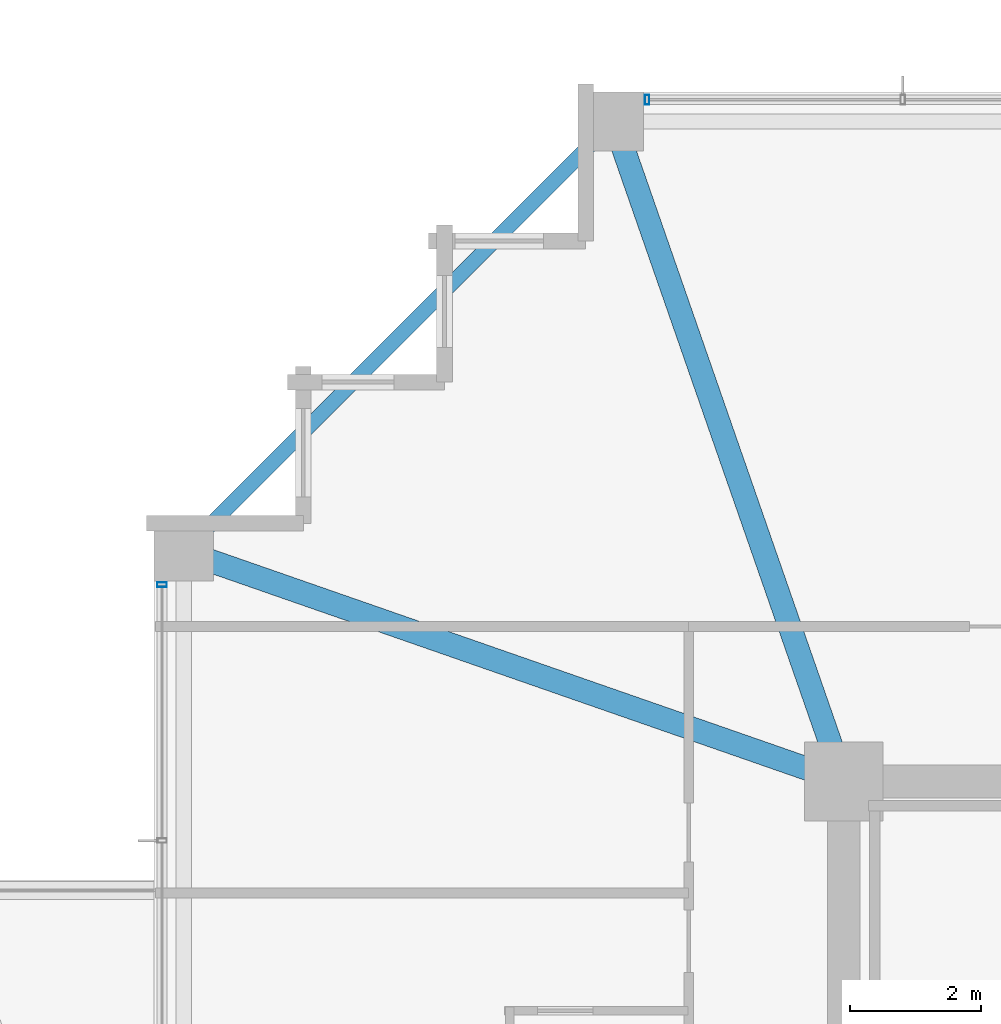
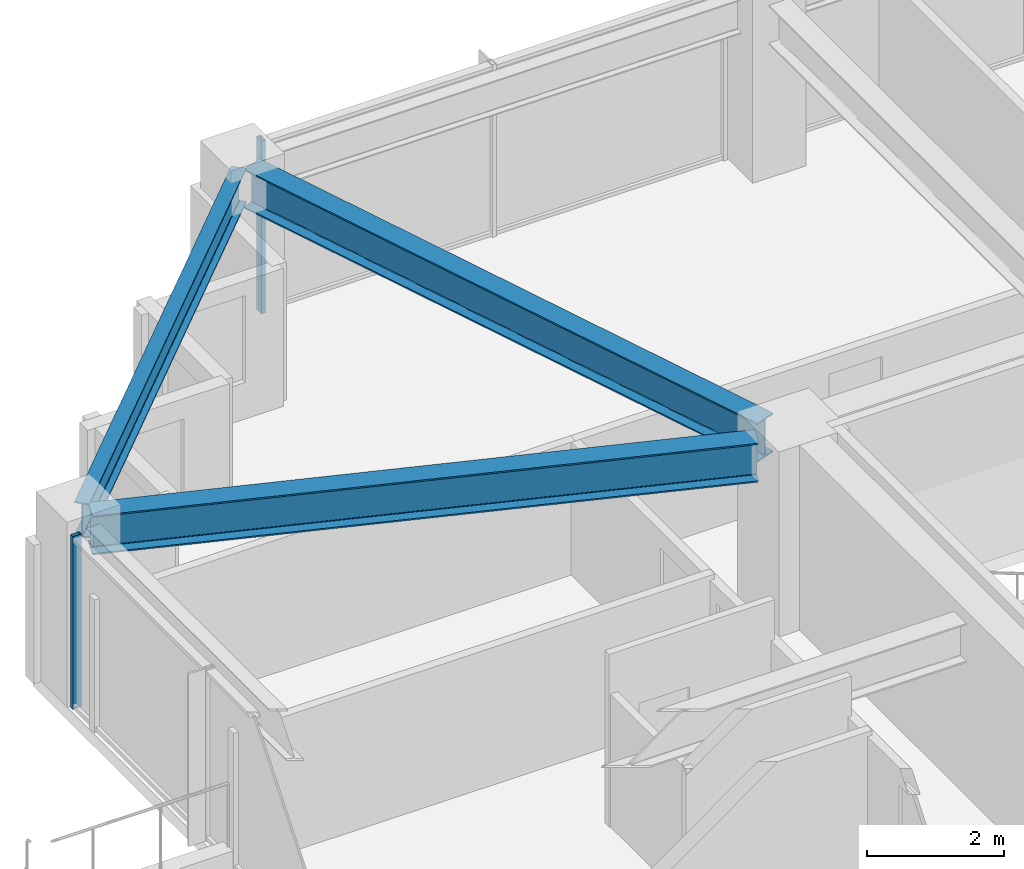
# One storey, part 17 of 35: 3 beams, 2 members, 2 elements without a shape of their own.
"""IFC4 building model written with IfcOpenShell, lengths in metres."""

from ifc_helpers import new_model, si_unit, direction, frame, origin, origin_2d, place, context, subcontext, project, spatial, hollow_rectangle, i_section, extrude, material, material_profile, profile_set, type_object, element, aggregate, save


model = new_model("IFC4")

# Units and contexts
model_context = context("Model", 3, precision=1e-05, world=origin(), true_north=direction((0.0, 1.0)))
body_context = subcontext(model_context, "Body", "Model", "MODEL_VIEW")
ifc_project = project(units=[si_unit("LENGTHUNIT", "METRE"), si_unit("AREAUNIT", "SQUARE_METRE"), si_unit("VOLUMEUNIT", "CUBIC_METRE"), si_unit("PLANEANGLEUNIT", "RADIAN"), si_unit("MASSUNIT", "GRAM", prefix="KILO")], contexts=[model_context])

# Site, building, storey
site_placement = place(None, origin())
site = spatial("IfcSite", under=ifc_project, at=site_placement, CompositionType="ELEMENT")
building_placement = place(site_placement, origin())
building = spatial("IfcBuilding", under=site, at=building_placement, Name="Kolvaren Belvedere", CompositionType="ELEMENT")
storey_placement = place(building_placement, frame((0.0, 0.0, 183.300048828125)))
storey = spatial("IfcBuildingStorey", under=building, at=storey_placement, Name="L53", CompositionType="ELEMENT", Elevation=183.300048828125)

# Beams
ifc_material_1 = material(Name="Structural steel ASTM A992 Grade 50", Category="steel")
ifc_material_profile_1 = material_profile(ifc_material_1, i_section(OverallWidth=0.35498046875, OverallDepth=0.696044921875, WebThickness=0.015380859375, FlangeThickness=0.02490234375, FilletRadius=0.02197265625, at=origin_2d()), Name="W27X146")
ifc_profile_set_1 = profile_set([ifc_material_profile_1], Name="Structural steel ASTM A992 Grade 50")
beam_type_1 = type_object("IfcBeamType", Name="BM-GIRD-W27X146", PredefinedType="BEAM", material=ifc_profile_set_1)
for number, where, z_axis, x_axis, name in (
    (1, (-10.080810546875, 10.41943359375, 2.73193359375), (-0.328894130701, 0.944366798861, 0.0), (-0.944366798861, -0.328894130701, 0.0), "L53 Corner Core-to-Perimeter Girder CC4-N1"),
    (2, (-10.41943359375, 10.080810546875, 2.73193359375), (-0.944366798861, 0.328894130701, 0.0), (-0.328894130701, -0.944366798861, 0.0), "L53 Corner Core-to-Perimeter Girder CC4-W4"),
):
    element("IfcBeam", number, at=place(storey_placement, frame(where, z_axis=z_axis, x_axis=x_axis)), inside=storey, type_object=beam_type_1, Name=name, PredefinedType="BEAM", context=body_context, shape_type="SweptSolid", body=[
        extrude(i_section(OverallWidth=0.35498046875, OverallDepth=0.696044921875, WebThickness=0.015380859375, FlangeThickness=0.02490234375, FilletRadius=0.02197265625, at=origin_2d()), origin(), (0.0, 0.0, 1.0), 9.912109375),
    ])
ifc_material_2 = material(Name="Structural steel ASTM A992 Grade 50", Category="steel")
ifc_material_profile_2 = material_profile(ifc_material_2, i_section(OverallWidth=0.22900390625, OverallDepth=0.612060546875, WebThickness=0.011962890625, FlangeThickness=0.01953125, FilletRadius=0.01806640625, at=origin_2d()), Name="W24X84")
ifc_profile_set_2 = profile_set([ifc_material_profile_2], Name="Structural steel ASTM A992 Grade 50")
beam_type_2 = type_object("IfcBeamType", Name="BM-SPAN-W24X84", PredefinedType="SPANDREL", material=ifc_profile_set_2)
beam_placement = place(storey_placement, frame((-13.543212890625, 19.806884765625, 2.77392578125), z_axis=(-0.707106781187, -0.707106781187, 0.0), x_axis=(0.707106781187, -0.707106781187, 0.0)))
element("IfcBeam", 3, at=beam_placement, inside=storey, type_object=beam_type_2, Name="L53 Perimeter Spandrel N1-W4", PredefinedType="SPANDREL", context=body_context, shape_type="SweptSolid", body=[
    extrude(i_section(OverallWidth=0.22900390625, OverallDepth=0.612060546875, WebThickness=0.011962890625, FlangeThickness=0.01953125, FilletRadius=0.01806640625, at=origin_2d()), origin(), (0.0, 0.0, 1.0), 8.858154296875),
])

# Curtain wall, member
ifc_material_3 = material(Name="Anodised pale-metal aluminium AA 6063-T6", Category="aluminium")
curtain_wall_type = type_object("IfcCurtainWallType", Name="CW-Z5-HIGH", PredefinedType="NOTDEFINED", material=ifc_material_3)
curtain_wall_1_placement = place(storey_placement, origin())
curtain_wall_1 = element("IfcCurtainWall", 4, at=curtain_wall_1_placement, inside=storey, type_object=curtain_wall_type, Name="L53 Unitised Curtain Wall FCW-L53-N-B1", PredefinedType="NOTDEFINED")
ifc_material_4 = material(Name="Anodised pale-metal aluminium AA 6063-T6", Category="aluminium")
ifc_material_profile_3 = material_profile(ifc_material_4, hollow_rectangle(XDim=0.070068359375, YDim=0.14990234375, WallThickness=0.004150390625, at=origin_2d()), Name="ALU-MUL-150X70")
ifc_profile_set_3 = profile_set([ifc_material_profile_3], Name="Anodised pale-metal aluminium AA 6063-T6")
member_type = type_object("IfcMemberType", Name="CW-MUL-150", PredefinedType="MULLION", material=ifc_profile_set_3)
member_1_placement = place(storey_placement, frame((-12.89501953125, 20.280029296875, 0.0), z_axis=(0.0, 0.0, 1.0), x_axis=(1.0, 0.0, 0.0)))
member_1 = element("IfcMember", 5, at=member_1_placement, type_object=member_type, Name="FCW-L53-N-B1 Unitised Mullion 1", PredefinedType="MULLION", context=body_context, shape_type="SweptSolid", body=[
    extrude(hollow_rectangle(XDim=0.070068359375, YDim=0.14990234375, WallThickness=0.004150390625, at=origin_2d()), origin(), (0.0, 0.0, 1.0), 3.079833984375),
])
aggregate(curtain_wall_1, [member_1])

curtain_wall_2_placement = place(storey_placement, origin())
curtain_wall_2 = element("IfcCurtainWall", 6, at=curtain_wall_2_placement, inside=storey, type_object=curtain_wall_type, Name="L53 Unitised Curtain Wall FCW-L53-W2-B2", PredefinedType="NOTDEFINED")
member_2_placement = place(storey_placement, frame((-20.280029296875, 12.89501953125, 0.0), z_axis=(0.0, 0.0, 1.0), x_axis=(0.0, 1.0, 0.0)))
member_2 = element("IfcMember", 7, at=member_2_placement, type_object=member_type, Name="FCW-L53-W2-B2 Unitised Mullion 3", PredefinedType="MULLION", context=body_context, shape_type="SweptSolid", body=[
    extrude(hollow_rectangle(XDim=0.070068359375, YDim=0.14990234375, WallThickness=0.004150390625, at=origin_2d()), origin(), (0.0, 0.0, 1.0), 3.079833984375),
])
aggregate(curtain_wall_2, [member_2])

save(model, "model.ifc")
